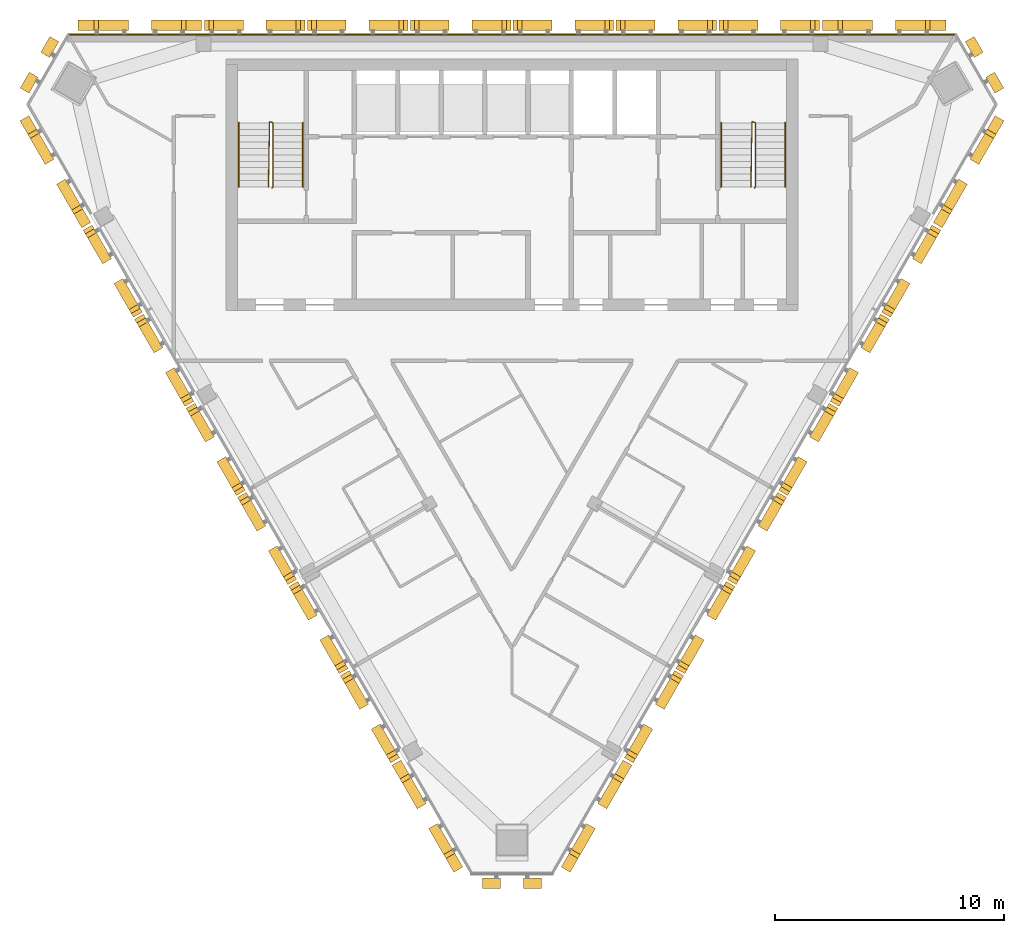
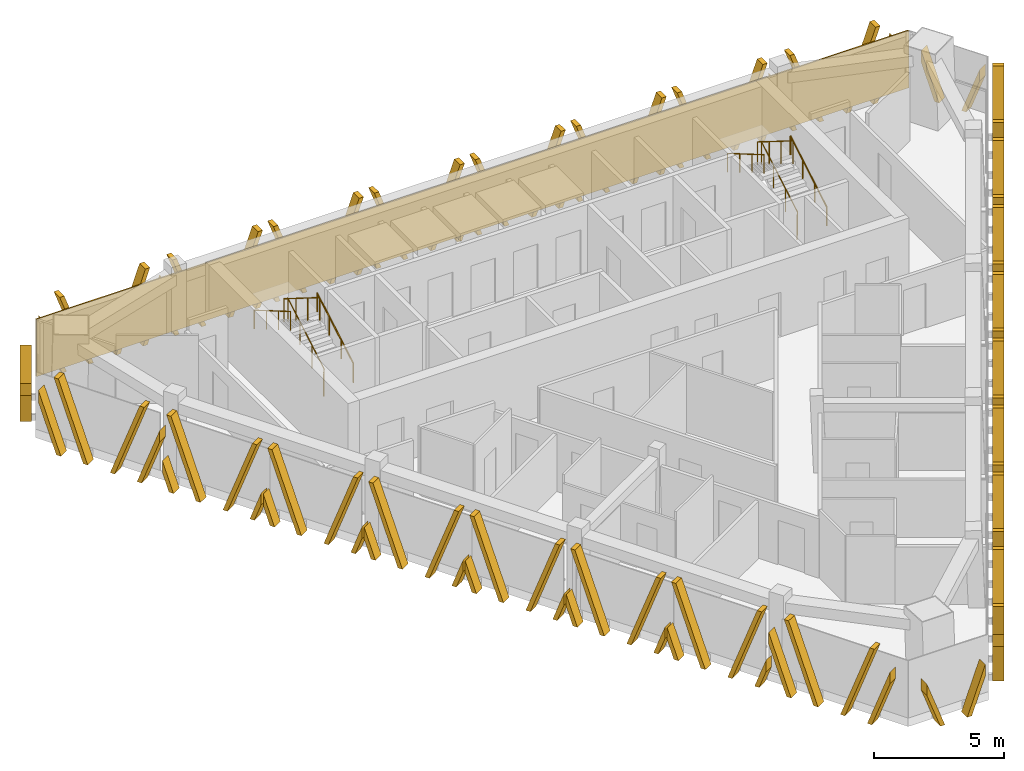
# One storey, part 10 of 11: 27 shading devices, 6 railings, 1 covering.
"""IFC4 building model written with IfcOpenShell, lengths in metres."""

from ifc_helpers import new_model, si_unit, direction, frame, frame_2d, origin, origin_2d, place, context, subcontext, project, spatial, polyline, rectangle, circle, outline, extrude, source, transform, mapped, material, layer, layer_set, type_object, element, save


model = new_model("IFC4")

# Units and contexts
model_context = context("Model", 3, precision=1e-05, world=origin(), true_north=direction((0.0, 1.0)))
body_context = subcontext(model_context, "Body", "Model", "MODEL_VIEW")
ifc_project = project(units=[si_unit("LENGTHUNIT", "METRE"), si_unit("AREAUNIT", "SQUARE_METRE"), si_unit("VOLUMEUNIT", "CUBIC_METRE"), si_unit("PLANEANGLEUNIT", "RADIAN"), si_unit("MASSUNIT", "GRAM", prefix="KILO")], contexts=[model_context])

# Site, building, storey
site_placement = place(None, origin())
site = spatial("IfcSite", under=ifc_project, at=site_placement, CompositionType="ELEMENT")
building_placement = place(site_placement, origin())
building = spatial("IfcBuilding", under=site, at=building_placement, Name="Altiplano Prism Tower", CompositionType="ELEMENT")
storey_placement = place(building_placement, frame((0.0, 0.0, 327.39990234375)))
storey = spatial("IfcBuildingStorey", under=building, at=storey_placement, Name="L85", CompositionType="ELEMENT", Elevation=327.39990234375)

# Railings
ifc_material_1 = material(Name="Steel S355", Category="steel")
railing_type_1 = type_object("IfcRailingType", Name="Stair guard 1100", PredefinedType="GUARDRAIL", material=ifc_material_1)
railing_1_placement = place(storey_placement, frame((74.5, 98.25, 0.0)))
element("IfcRailing", 1, at=railing_1_placement, inside=storey, type_object=railing_type_1, Name="L85 ST1 stair guard 1", PredefinedType="GUARDRAIL", context=body_context, shape_type="SweptSolid", body=[
    extrude(circle(Radius=0.02392578125, at=origin_2d()), frame((0.0, 0.0, 1.076171875), z_axis=(0.280456126637, 0.280456126637, 0.917980785237), x_axis=(-0.707106781187, 0.707106781187, 0.0)), (0.0, 0.0, 1.0), 0.178466796875),
    extrude(circle(Radius=0.02392578125, at=origin_2d()), frame((0.050048828125, 0.050048828125, 1.23974609375), z_axis=(0.0, 0.863393664356, 0.504530851732), x_axis=(-1.0, 0.0, 0.0)), (0.0, 0.0, 1.0), 3.2431640625),
    extrude(circle(Radius=0.02392578125, at=origin_2d()), frame((0.050048828125, 2.85009765625, 2.8759765625), z_axis=(-0.949145278916, 0.314838433982, 0.0), x_axis=(-0.314838433982, -0.949145278916, 0.0)), (0.0, 0.0, 1.0), 0.158203125),
    extrude(circle(Radius=0.02392578125, at=origin_2d()), frame((-0.10009765625, 2.89990234375, 2.8759765625), z_axis=(-0.01477401265, -0.845377694409, 0.533964682676), x_axis=(0.999847325713, -0.01747355902, 0.0)), (0.0, 0.0, 1.0), 3.37109375),
    extrude(circle(Radius=0.02099609375, at=origin_2d()), origin(), (0.0, 0.0, 1.0), 1.052001953125),
    extrude(circle(Radius=0.02099609375, at=origin_2d()), frame((0.050048828125, 0.050048828125, 0.163818359375)), (0.0, 0.0, 1.0), 1.052001953125),
    extrude(circle(Radius=0.02099609375, at=origin_2d()), frame((0.050048828125, 0.9833984375, 0.709228515625)), (0.0, 0.0, 1.0), 1.052001953125),
    extrude(circle(Radius=0.02099609375, at=origin_2d()), frame((0.050048828125, 1.916748046875, 1.254638671875)), (0.0, 0.0, 1.0), 1.052001953125),
    extrude(circle(Radius=0.02099609375, at=origin_2d()), frame((0.050048828125, 2.85009765625, 1.800048828125)), (0.0, 0.0, 1.0), 1.052001953125),
    extrude(circle(Radius=0.02099609375, at=origin_2d()), frame((-0.10009765625, 2.89990234375, 1.800048828125)), (0.0, 0.0, 1.0), 1.052001953125),
    extrude(circle(Radius=0.02099609375, at=origin_2d()), frame((-0.11669921875, 1.949951171875, 2.400146484375)), (0.0, 0.0, 1.0), 1.052001953125),
    extrude(circle(Radius=0.02099609375, at=origin_2d()), frame((-0.13330078125, 1.0, 3.0)), (0.0, 0.0, 1.0), 1.052001953125),
    extrude(circle(Radius=0.02099609375, at=origin_2d()), frame((-0.14990234375, 0.050048828125, 3.60009765625)), (0.0, 0.0, 1.0), 1.052001953125),
])
railing_2_placement = place(storey_placement, frame((95.60009765625, 98.25, 0.0)))
element("IfcRailing", 2, at=railing_2_placement, inside=storey, type_object=railing_type_1, Name="L85 ST2 stair guard 1", PredefinedType="GUARDRAIL", context=body_context, shape_type="SweptSolid", body=[
    extrude(circle(Radius=0.02392578125, at=origin_2d()), frame((0.0, 0.0, 1.076171875), z_axis=(0.279194930351, 0.280563532951, 0.91833234444), x_axis=(-0.708833529934, 0.705375805398, 0.0)), (0.0, 0.0, 1.0), 0.178466796875),
    extrude(circle(Radius=0.02392578125, at=origin_2d()), frame((0.0498046875, 0.050048828125, 1.23974609375), z_axis=(0.0, 0.863393664356, 0.504530851732), x_axis=(-1.0, 0.0, 0.0)), (0.0, 0.0, 1.0), 3.2431640625),
    extrude(circle(Radius=0.02392578125, at=origin_2d()), frame((0.0498046875, 2.85009765625, 2.8759765625), z_axis=(-0.948991962702, 0.315300261223, 0.0), x_axis=(-0.315300261223, -0.948991962702, 0.0)), (0.0, 0.0, 1.0), 0.157958984375),
    extrude(circle(Radius=0.02392578125, at=origin_2d()), frame((-0.10009765625, 2.89990234375, 2.8759765625), z_axis=(-0.014846418356, -0.845376787675, 0.533964109957), x_axis=(0.999845825584, -0.017559187376, 0.0)), (0.0, 0.0, 1.0), 3.37109375),
    extrude(circle(Radius=0.02099609375, at=origin_2d()), origin(), (0.0, 0.0, 1.0), 1.052001953125),
    extrude(circle(Radius=0.02099609375, at=origin_2d()), frame((0.0498046875, 0.050048828125, 0.163818359375)), (0.0, 0.0, 1.0), 1.052001953125),
    extrude(circle(Radius=0.02099609375, at=origin_2d()), frame((0.0498046875, 0.9833984375, 0.709228515625)), (0.0, 0.0, 1.0), 1.052001953125),
    extrude(circle(Radius=0.02099609375, at=origin_2d()), frame((0.0498046875, 1.916748046875, 1.254638671875)), (0.0, 0.0, 1.0), 1.052001953125),
    extrude(circle(Radius=0.02099609375, at=origin_2d()), frame((0.0498046875, 2.85009765625, 1.800048828125)), (0.0, 0.0, 1.0), 1.052001953125),
    extrude(circle(Radius=0.02099609375, at=origin_2d()), frame((-0.10009765625, 2.89990234375, 1.800048828125)), (0.0, 0.0, 1.0), 1.052001953125),
    extrude(circle(Radius=0.02099609375, at=origin_2d()), frame((-0.11669921875, 1.949951171875, 2.400146484375)), (0.0, 0.0, 1.0), 1.052001953125),
    extrude(circle(Radius=0.02099609375, at=origin_2d()), frame((-0.133544921875, 1.0, 3.0)), (0.0, 0.0, 1.0), 1.052001953125),
    extrude(circle(Radius=0.02099609375, at=origin_2d()), frame((-0.150146484375, 0.050048828125, 3.60009765625)), (0.0, 0.0, 1.0), 1.052001953125),
])
railing_type_2 = type_object("IfcRailingType", Name="Stair handrail 900", PredefinedType="HANDRAIL", material=ifc_material_1)
railing_3_placement = place(storey_placement, frame((75.85009765625, 98.300048828125, 0.163818359375)))
element("IfcRailing", 3, at=railing_3_placement, inside=storey, type_object=railing_type_2, Name="L85 ST1 stair handrail 1", PredefinedType="HANDRAIL", context=body_context, shape_type="SweptSolid", body=[
    extrude(circle(Radius=0.02392578125, at=origin_2d()), frame((0.0, 0.0, 0.8759765625), z_axis=(0.0, 0.863393664356, 0.504530851732), x_axis=(-1.0, 0.0, 0.0)), (0.0, 0.0, 1.0), 3.2431640625),
    extrude(circle(Radius=0.02099609375, at=origin_2d()), origin(), (0.0, 0.0, 1.0), 0.851806640625),
    extrude(circle(Radius=0.02099609375, at=origin_2d()), frame((0.0, 0.933349609375, 0.54541015625)), (0.0, 0.0, 1.0), 0.851806640625),
    extrude(circle(Radius=0.02099609375, at=origin_2d()), frame((0.0, 1.86669921875, 1.0908203125)), (0.0, 0.0, 1.0), 0.851806640625),
    extrude(circle(Radius=0.02099609375, at=origin_2d()), frame((0.0, 2.800048828125, 1.63623046875)), (0.0, 0.0, 1.0), 0.851806640625),
])
railing_4_placement = place(storey_placement, frame((73.050048828125, 101.10009765625, 1.963623046875)))
element("IfcRailing", 4, at=railing_4_placement, inside=storey, type_object=railing_type_2, Name="L85 ST1 stair handrail 2", PredefinedType="HANDRAIL", context=body_context, shape_type="SweptSolid", body=[
    extrude(circle(Radius=0.02392578125, at=origin_2d()), frame((0.0, 0.0, 0.8759765625), z_axis=(0.0, -0.863360870873, 0.504586966384), x_axis=(1.0, 0.0, 0.0)), (0.0, 0.0, 1.0), 3.2431640625),
    extrude(circle(Radius=0.02099609375, at=origin_2d()), origin(), (0.0, 0.0, 1.0), 0.851806640625),
    extrude(circle(Radius=0.02099609375, at=origin_2d()), frame((0.0, -0.933349609375, 0.54541015625)), (0.0, 0.0, 1.0), 0.851806640625),
    extrude(circle(Radius=0.02099609375, at=origin_2d()), frame((0.0, -1.86669921875, 1.091064453125)), (0.0, 0.0, 1.0), 0.851806640625),
    extrude(circle(Radius=0.02099609375, at=origin_2d()), frame((0.0, -2.800048828125, 1.636474609375)), (0.0, 0.0, 1.0), 0.851806640625),
])
railing_5_placement = place(storey_placement, frame((96.949951171875, 98.300048828125, 0.163818359375)))
element("IfcRailing", 5, at=railing_5_placement, inside=storey, type_object=railing_type_2, Name="L85 ST2 stair handrail 1", PredefinedType="HANDRAIL", context=body_context, shape_type="SweptSolid", body=[
    extrude(circle(Radius=0.02392578125, at=origin_2d()), frame((0.0, 0.0, 0.8759765625), z_axis=(0.0, 0.863393664356, 0.504530851732), x_axis=(-1.0, 0.0, 0.0)), (0.0, 0.0, 1.0), 3.2431640625),
    extrude(circle(Radius=0.02099609375, at=origin_2d()), origin(), (0.0, 0.0, 1.0), 0.851806640625),
    extrude(circle(Radius=0.02099609375, at=origin_2d()), frame((0.0, 0.933349609375, 0.54541015625)), (0.0, 0.0, 1.0), 0.851806640625),
    extrude(circle(Radius=0.02099609375, at=origin_2d()), frame((0.0, 1.86669921875, 1.0908203125)), (0.0, 0.0, 1.0), 0.851806640625),
    extrude(circle(Radius=0.02099609375, at=origin_2d()), frame((0.0, 2.800048828125, 1.63623046875)), (0.0, 0.0, 1.0), 0.851806640625),
])
railing_6_placement = place(storey_placement, frame((94.14990234375, 101.10009765625, 1.963623046875)))
element("IfcRailing", 6, at=railing_6_placement, inside=storey, type_object=railing_type_2, Name="L85 ST2 stair handrail 2", PredefinedType="HANDRAIL", context=body_context, shape_type="SweptSolid", body=[
    extrude(circle(Radius=0.02392578125, at=origin_2d()), frame((0.0, 0.0, 0.8759765625), z_axis=(0.0, -0.863360870873, 0.504586966384), x_axis=(1.0, 0.0, 0.0)), (0.0, 0.0, 1.0), 3.2431640625),
    extrude(circle(Radius=0.02099609375, at=origin_2d()), origin(), (0.0, 0.0, 1.0), 0.851806640625),
    extrude(circle(Radius=0.02099609375, at=origin_2d()), frame((0.0, -0.933349609375, 0.54541015625)), (0.0, 0.0, 1.0), 0.851806640625),
    extrude(circle(Radius=0.02099609375, at=origin_2d()), frame((0.0, -1.86669921875, 1.091064453125)), (0.0, 0.0, 1.0), 0.851806640625),
    extrude(circle(Radius=0.02099609375, at=origin_2d()), frame((0.0, -2.800048828125, 1.636474609375)), (0.0, 0.0, 1.0), 0.851806640625),
])

# Covering
ifc_material_2 = material(Name="Warm limestone cast stone", Category="masonry")
ifc_layer = layer(ifc_material_2, 0.06005859375)
ifc_layer_set = layer_set([ifc_layer], Name="Warm limestone cast stone")
covering_type = type_object("IfcCoveringType", Name="Stone cladding 60", PredefinedType="CLADDING", material=ifc_layer_set)
covering_placement = place(storey_placement, frame((65.5537109375, 104.969970703125, 0.0), z_axis=(0.0, 0.0, 1.0), x_axis=(1.0, 0.0, 0.0)))
element("IfcCovering", 7, at=covering_placement, inside=storey, type_object=covering_type, Name="Stone cladding north face L85", PredefinedType="CLADDING", context=body_context, shape_type="SweptSolid", body=[
    extrude(rectangle(XDim=38.892578125, YDim=0.06005859375, at=frame_2d((19.4462890625, 0.0))), origin(), (0.0, 0.0, 1.0), 2.7001953125),
])

# Shading devices
shading_device_type_1 = type_object("IfcShadingDeviceType", Name="Stone fin panel, standard unit", PredefinedType="USERDEFINED", material=ifc_material_2)
shared_shape_1 = source(origin(), body_context, "Body", "SweptSolid", [
    extrude(outline(polyline([(-2.199951171875, 1.373779296875), (-2.199951171875, 0.82421875), (-1.89990234375, 0.0), (-1.699951171875, 0.0), (-2.199951171875, 1.373779296875)])), frame((0.0, -0.14990234375, 0.0), z_axis=(0.0, -1.0, 0.0), x_axis=(1.0, 0.0, 0.0)), (0.0, 0.0, 1.0), 0.4501953125),
    extrude(outline(polyline([(-2.01025390625, 3.60009765625), (-0.699951171875, 0.0), (-0.5, 0.0), (-1.810302734375, 3.60009765625), (-2.01025390625, 3.60009765625)])), frame((0.0, -0.14990234375, 0.0), z_axis=(0.0, -1.0, 0.0), x_axis=(1.0, 0.0, 0.0)), (0.0, 0.0, 1.0), 0.4501953125),
    extrude(outline(polyline([(1.810302734375, 3.60009765625), (0.5, 0.0), (0.699951171875, 0.0), (2.01025390625, 3.60009765625), (1.810302734375, 3.60009765625)])), frame((0.0, -0.14990234375, 0.0), z_axis=(0.0, -1.0, 0.0), x_axis=(1.0, 0.0, 0.0)), (0.0, 0.0, 1.0), 0.4501953125),
    extrude(outline(polyline([(2.199951171875, 0.82421875), (2.199951171875, 1.373779296875), (1.699951171875, 0.0), (1.89990234375, 0.0), (2.199951171875, 0.82421875)])), frame((0.0, -0.14990234375, 0.0), z_axis=(0.0, -1.0, 0.0), x_axis=(1.0, 0.0, 0.0)), (0.0, 0.0, 1.0), 0.4501953125),
])
shading_device_1_placement = place(storey_placement, origin())
element("IfcShadingDevice", 8, at=shading_device_1_placement, inside=storey, type_object=shading_device_type_1, Name="Fin L85 north face 2", ObjectType="FIN", PredefinedType="USERDEFINED", context=body_context, shape_type="MappedRepresentation", body=[
    mapped(shared_shape_1, transform((96.25, 105.0, -0.39990234375), x_axis=(-1.0, 0.0, 0.0), y_axis=(0.0, -1.0, 0.0), z_axis=(0.0, 0.0, 1.0))),
])
shading_device_2_placement = place(storey_placement, origin())
element("IfcShadingDevice", 9, at=shading_device_2_placement, inside=storey, type_object=shading_device_type_1, Name="Fin L85 north face 3", ObjectType="FIN", PredefinedType="USERDEFINED", context=body_context, shape_type="MappedRepresentation", body=[
    mapped(shared_shape_1, transform((91.75, 105.0, -0.39990234375), x_axis=(-1.0, 0.0, 0.0), y_axis=(0.0, -1.0, 0.0), z_axis=(0.0, 0.0, 1.0))),
])
shading_device_3_placement = place(storey_placement, origin())
element("IfcShadingDevice", 10, at=shading_device_3_placement, inside=storey, type_object=shading_device_type_1, Name="Fin L85 north face 4", ObjectType="FIN", PredefinedType="USERDEFINED", context=body_context, shape_type="MappedRepresentation", body=[
    mapped(shared_shape_1, transform((87.25, 105.0, -0.39990234375), x_axis=(-1.0, 0.0, 0.0), y_axis=(0.0, -1.0, 0.0), z_axis=(0.0, 0.0, 1.0))),
])
shading_device_4_placement = place(storey_placement, origin())
element("IfcShadingDevice", 11, at=shading_device_4_placement, inside=storey, type_object=shading_device_type_1, Name="Fin L85 north face 5", ObjectType="FIN", PredefinedType="USERDEFINED", context=body_context, shape_type="MappedRepresentation", body=[
    mapped(shared_shape_1, transform((82.75, 105.0, -0.39990234375), x_axis=(-1.0, 0.0, 0.0), y_axis=(0.0, -1.0, 0.0), z_axis=(0.0, 0.0, 1.0))),
])
shading_device_5_placement = place(storey_placement, origin())
element("IfcShadingDevice", 12, at=shading_device_5_placement, inside=storey, type_object=shading_device_type_1, Name="Fin L85 north face 6", ObjectType="FIN", PredefinedType="USERDEFINED", context=body_context, shape_type="MappedRepresentation", body=[
    mapped(shared_shape_1, transform((78.25, 105.0, -0.39990234375), x_axis=(-1.0, 0.0, 0.0), y_axis=(0.0, -1.0, 0.0), z_axis=(0.0, 0.0, 1.0))),
])
shading_device_6_placement = place(storey_placement, origin())
element("IfcShadingDevice", 13, at=shading_device_6_placement, inside=storey, type_object=shading_device_type_1, Name="Fin L85 north face 7", ObjectType="FIN", PredefinedType="USERDEFINED", context=body_context, shape_type="MappedRepresentation", body=[
    mapped(shared_shape_1, transform((73.75, 105.0, -0.39990234375), x_axis=(-1.0, 0.0, 0.0), y_axis=(0.0, -1.0, 0.0), z_axis=(0.0, 0.0, 1.0))),
])
shading_device_7_placement = place(storey_placement, origin())
element("IfcShadingDevice", 14, at=shading_device_7_placement, inside=storey, type_object=shading_device_type_1, Name="Fin L85 south-west face 2", ObjectType="FIN", PredefinedType="USERDEFINED", context=body_context, shape_type="MappedRepresentation", body=[
    mapped(shared_shape_1, transform((67.863037109375, 94.8037109375, -0.39990234375), x_axis=(0.499999992925, -0.866025407869, 0.0), y_axis=(0.866025407869, 0.499999992925, 0.0), z_axis=(0.0, 0.0, 1.0))),
])
shading_device_8_placement = place(storey_placement, origin())
element("IfcShadingDevice", 15, at=shading_device_8_placement, inside=storey, type_object=shading_device_type_1, Name="Fin L85 south-west face 3", ObjectType="FIN", PredefinedType="USERDEFINED", context=body_context, shape_type="MappedRepresentation", body=[
    mapped(shared_shape_1, transform((70.113037109375, 90.906494140625, -0.39990234375), x_axis=(0.499999992925, -0.866025407869, 0.0), y_axis=(0.866025407869, 0.499999992925, 0.0), z_axis=(0.0, 0.0, 1.0))),
])
shading_device_9_placement = place(storey_placement, origin())
element("IfcShadingDevice", 16, at=shading_device_9_placement, inside=storey, type_object=shading_device_type_1, Name="Fin L85 south-west face 4", ObjectType="FIN", PredefinedType="USERDEFINED", context=body_context, shape_type="MappedRepresentation", body=[
    mapped(shared_shape_1, transform((72.363037109375, 87.009521484375, -0.39990234375), x_axis=(0.499999992925, -0.866025407869, 0.0), y_axis=(0.866025407869, 0.499999992925, 0.0), z_axis=(0.0, 0.0, 1.0))),
])
shading_device_10_placement = place(storey_placement, origin())
element("IfcShadingDevice", 17, at=shading_device_10_placement, inside=storey, type_object=shading_device_type_1, Name="Fin L85 south-west face 5", ObjectType="FIN", PredefinedType="USERDEFINED", context=body_context, shape_type="MappedRepresentation", body=[
    mapped(shared_shape_1, transform((74.613037109375, 83.1123046875, -0.39990234375), x_axis=(0.499999992925, -0.866025407869, 0.0), y_axis=(0.866025407869, 0.499999992925, 0.0), z_axis=(0.0, 0.0, 1.0))),
])
shading_device_11_placement = place(storey_placement, origin())
element("IfcShadingDevice", 18, at=shading_device_11_placement, inside=storey, type_object=shading_device_type_1, Name="Fin L85 south-west face 6", ObjectType="FIN", PredefinedType="USERDEFINED", context=body_context, shape_type="MappedRepresentation", body=[
    mapped(shared_shape_1, transform((76.863037109375, 79.21533203125, -0.39990234375), x_axis=(0.499999992925, -0.866025407869, 0.0), y_axis=(0.866025407869, 0.499999992925, 0.0), z_axis=(0.0, 0.0, 1.0))),
])
shading_device_12_placement = place(storey_placement, origin())
element("IfcShadingDevice", 19, at=shading_device_12_placement, inside=storey, type_object=shading_device_type_1, Name="Fin L85 south-west face 7", ObjectType="FIN", PredefinedType="USERDEFINED", context=body_context, shape_type="MappedRepresentation", body=[
    mapped(shared_shape_1, transform((79.113037109375, 75.318115234375, -0.39990234375), x_axis=(0.499999992925, -0.866025407869, 0.0), y_axis=(0.866025407869, 0.499999992925, 0.0), z_axis=(0.0, 0.0, 1.0))),
])
shading_device_13_placement = place(storey_placement, origin())
element("IfcShadingDevice", 20, at=shading_device_13_placement, inside=storey, type_object=shading_device_type_1, Name="Fin L85 south-east face 2", ObjectType="FIN", PredefinedType="USERDEFINED", context=body_context, shape_type="MappedRepresentation", body=[
    mapped(shared_shape_1, transform((90.886962890625, 75.318115234375, -0.39990234375), x_axis=(0.499999992925, 0.866025407869, 0.0), y_axis=(-0.866025407869, 0.499999992925, 0.0), z_axis=(0.0, 0.0, 1.0))),
])
shading_device_14_placement = place(storey_placement, origin())
element("IfcShadingDevice", 21, at=shading_device_14_placement, inside=storey, type_object=shading_device_type_1, Name="Fin L85 south-east face 3", ObjectType="FIN", PredefinedType="USERDEFINED", context=body_context, shape_type="MappedRepresentation", body=[
    mapped(shared_shape_1, transform((93.136962890625, 79.21533203125, -0.39990234375), x_axis=(0.499999992925, 0.866025407869, 0.0), y_axis=(-0.866025407869, 0.499999992925, 0.0), z_axis=(0.0, 0.0, 1.0))),
])
shading_device_15_placement = place(storey_placement, origin())
element("IfcShadingDevice", 22, at=shading_device_15_placement, inside=storey, type_object=shading_device_type_1, Name="Fin L85 south-east face 4", ObjectType="FIN", PredefinedType="USERDEFINED", context=body_context, shape_type="MappedRepresentation", body=[
    mapped(shared_shape_1, transform((95.386962890625, 83.1123046875, -0.39990234375), x_axis=(0.499999992925, 0.866025407869, 0.0), y_axis=(-0.866025407869, 0.499999992925, 0.0), z_axis=(0.0, 0.0, 1.0))),
])
shading_device_16_placement = place(storey_placement, origin())
element("IfcShadingDevice", 23, at=shading_device_16_placement, inside=storey, type_object=shading_device_type_1, Name="Fin L85 south-east face 5", ObjectType="FIN", PredefinedType="USERDEFINED", context=body_context, shape_type="MappedRepresentation", body=[
    mapped(shared_shape_1, transform((97.636962890625, 87.009521484375, -0.39990234375), x_axis=(0.499999992925, 0.866025407869, 0.0), y_axis=(-0.866025407869, 0.499999992925, 0.0), z_axis=(0.0, 0.0, 1.0))),
])
shading_device_17_placement = place(storey_placement, origin())
element("IfcShadingDevice", 24, at=shading_device_17_placement, inside=storey, type_object=shading_device_type_1, Name="Fin L85 south-east face 6", ObjectType="FIN", PredefinedType="USERDEFINED", context=body_context, shape_type="MappedRepresentation", body=[
    mapped(shared_shape_1, transform((99.886962890625, 90.906494140625, -0.39990234375), x_axis=(0.499999992925, 0.866025407869, 0.0), y_axis=(-0.866025407869, 0.499999992925, 0.0), z_axis=(0.0, 0.0, 1.0))),
])
shading_device_18_placement = place(storey_placement, origin())
element("IfcShadingDevice", 25, at=shading_device_18_placement, inside=storey, type_object=shading_device_type_1, Name="Fin L85 south-east face 7", ObjectType="FIN", PredefinedType="USERDEFINED", context=body_context, shape_type="MappedRepresentation", body=[
    mapped(shared_shape_1, transform((102.136962890625, 94.8037109375, -0.39990234375), x_axis=(0.499999992925, 0.866025407869, 0.0), y_axis=(-0.866025407869, 0.499999992925, 0.0), z_axis=(0.0, 0.0, 1.0))),
])
shading_device_type_2 = type_object("IfcShadingDeviceType", Name="Stone fin panel, wide closing bay", PredefinedType="USERDEFINED", material=ifc_material_2)
shared_shape_2 = source(origin(), body_context, "Body", "SweptSolid", [
    extrude(outline(polyline([(-2.699951171875, 2.74755859375), (-2.699951171875, 2.197998046875), (-1.89990234375, 0.0), (-1.699951171875, 0.0), (-2.699951171875, 2.74755859375)])), frame((0.0, -0.14990234375, 0.0), z_axis=(0.0, -1.0, 0.0), x_axis=(1.0, 0.0, 0.0)), (0.0, 0.0, 1.0), 0.4501953125),
    extrude(outline(polyline([(-2.01025390625, 3.60009765625), (-0.699951171875, 0.0), (-0.5, 0.0), (-1.810302734375, 3.60009765625), (-2.01025390625, 3.60009765625)])), frame((0.0, -0.14990234375, 0.0), z_axis=(0.0, -1.0, 0.0), x_axis=(1.0, 0.0, 0.0)), (0.0, 0.0, 1.0), 0.4501953125),
    extrude(outline(polyline([(1.810302734375, 3.60009765625), (0.5, 0.0), (0.699951171875, 0.0), (2.01025390625, 3.60009765625), (1.810302734375, 3.60009765625)])), frame((0.0, -0.14990234375, 0.0), z_axis=(0.0, -1.0, 0.0), x_axis=(1.0, 0.0, 0.0)), (0.0, 0.0, 1.0), 0.4501953125),
    extrude(outline(polyline([(2.699951171875, 2.197998046875), (2.699951171875, 2.74755859375), (1.699951171875, 0.0), (1.89990234375, 0.0), (2.699951171875, 2.197998046875)])), frame((0.0, -0.14990234375, 0.0), z_axis=(0.0, -1.0, 0.0), x_axis=(1.0, 0.0, 0.0)), (0.0, 0.0, 1.0), 0.4501953125),
])
shading_device_19_placement = place(storey_placement, origin())
element("IfcShadingDevice", 26, at=shading_device_19_placement, inside=storey, type_object=shading_device_type_2, Name="Fin L85 north face 1", ObjectType="FIN", PredefinedType="USERDEFINED", context=body_context, shape_type="MappedRepresentation", body=[
    mapped(shared_shape_2, transform((101.273193359375, 105.0, -0.39990234375), x_axis=(-1.0, 0.0, 0.0), y_axis=(0.0, -1.0, 0.0), z_axis=(0.0, 0.0, 1.0))),
])
shading_device_20_placement = place(storey_placement, origin())
element("IfcShadingDevice", 27, at=shading_device_20_placement, inside=storey, type_object=shading_device_type_2, Name="Fin L85 north face 8", ObjectType="FIN", PredefinedType="USERDEFINED", context=body_context, shape_type="MappedRepresentation", body=[
    mapped(shared_shape_2, transform((68.726806640625, 105.0, -0.39990234375), x_axis=(-1.0, 0.0, 0.0), y_axis=(0.0, -1.0, 0.0), z_axis=(0.0, 0.0, 1.0))),
])
shading_device_21_placement = place(storey_placement, origin())
element("IfcShadingDevice", 28, at=shading_device_21_placement, inside=storey, type_object=shading_device_type_2, Name="Fin L85 south-west face 1", ObjectType="FIN", PredefinedType="USERDEFINED", context=body_context, shape_type="MappedRepresentation", body=[
    mapped(shared_shape_2, transform((65.3515625, 99.15380859375, -0.39990234375), x_axis=(0.499999992925, -0.866025407869, 0.0), y_axis=(0.866025407869, 0.499999992925, 0.0), z_axis=(0.0, 0.0, 1.0))),
])
shading_device_22_placement = place(storey_placement, origin())
element("IfcShadingDevice", 29, at=shading_device_22_placement, inside=storey, type_object=shading_device_type_2, Name="Fin L85 south-west face 8", ObjectType="FIN", PredefinedType="USERDEFINED", context=body_context, shape_type="MappedRepresentation", body=[
    mapped(shared_shape_2, transform((81.624755859375, 70.9677734375, -0.39990234375), x_axis=(0.499999992925, -0.866025407869, 0.0), y_axis=(0.866025407869, 0.499999992925, 0.0), z_axis=(0.0, 0.0, 1.0))),
])
shading_device_23_placement = place(storey_placement, origin())
element("IfcShadingDevice", 30, at=shading_device_23_placement, inside=storey, type_object=shading_device_type_2, Name="Fin L85 south-east face 1", ObjectType="FIN", PredefinedType="USERDEFINED", context=body_context, shape_type="MappedRepresentation", body=[
    mapped(shared_shape_2, transform((88.375244140625, 70.9677734375, -0.39990234375), x_axis=(0.499999992925, 0.866025407869, 0.0), y_axis=(-0.866025407869, 0.499999992925, 0.0), z_axis=(0.0, 0.0, 1.0))),
])
shading_device_24_placement = place(storey_placement, origin())
element("IfcShadingDevice", 31, at=shading_device_24_placement, inside=storey, type_object=shading_device_type_2, Name="Fin L85 south-east face 8", ObjectType="FIN", PredefinedType="USERDEFINED", context=body_context, shape_type="MappedRepresentation", body=[
    mapped(shared_shape_2, transform((104.6484375, 99.15380859375, -0.39990234375), x_axis=(0.499999992925, 0.866025407869, 0.0), y_axis=(-0.866025407869, 0.499999992925, 0.0), z_axis=(0.0, 0.0, 1.0))),
])
shading_device_type_3 = type_object("IfcShadingDeviceType", Name="Stone fin panel, chamfer unit", PredefinedType="USERDEFINED", material=ifc_material_2)
shared_shape_3 = source(origin(), body_context, "Body", "SweptSolid", [
    extrude(outline(polyline([(-1.300048828125, 2.197998046875), (-1.300048828125, 1.6484375), (-0.699951171875, 0.0), (-0.5, 0.0), (-1.300048828125, 2.197998046875)])), frame((0.0, -0.14990234375, 0.0), z_axis=(0.0, -1.0, 0.0), x_axis=(1.0, 0.0, 0.0)), (0.0, 0.0, 1.0), 0.4501953125),
    extrude(outline(polyline([(1.300048828125, 1.6484375), (1.300048828125, 2.197998046875), (0.5, 0.0), (0.699951171875, 0.0), (1.300048828125, 1.6484375)])), frame((0.0, -0.14990234375, 0.0), z_axis=(0.0, -1.0, 0.0), x_axis=(1.0, 0.0, 0.0)), (0.0, 0.0, 1.0), 0.4501953125),
])
shading_device_25_placement = place(storey_placement, origin())
element("IfcShadingDevice", 32, at=shading_device_25_placement, inside=storey, type_object=shading_device_type_3, Name="Fin L85 north-west chamfer 1", ObjectType="FIN", PredefinedType="USERDEFINED", context=body_context, shape_type="MappedRepresentation", body=[
    mapped(shared_shape_3, transform((64.6591796875, 103.450927734375, -0.39990234375), x_axis=(-0.499999987126, -0.866025411217, 0.0), y_axis=(0.866025411217, -0.499999987126, 0.0), z_axis=(0.0, 0.0, 1.0))),
])
shading_device_26_placement = place(storey_placement, origin())
element("IfcShadingDevice", 33, at=shading_device_26_placement, inside=storey, type_object=shading_device_type_3, Name="Fin L85 south chamfer 1", ObjectType="FIN", PredefinedType="USERDEFINED", context=body_context, shape_type="MappedRepresentation", body=[
    mapped(shared_shape_3, transform((85.0, 68.2197265625, -0.39990234375), x_axis=(1.0, 0.0, 0.0), y_axis=(0.0, 1.0, 0.0), z_axis=(0.0, 0.0, 1.0))),
])
shading_device_27_placement = place(storey_placement, origin())
element("IfcShadingDevice", 34, at=shading_device_27_placement, inside=storey, type_object=shading_device_type_3, Name="Fin L85 north-east chamfer 1", ObjectType="FIN", PredefinedType="USERDEFINED", context=body_context, shape_type="MappedRepresentation", body=[
    mapped(shared_shape_3, transform((105.3408203125, 103.450927734375, -0.39990234375), x_axis=(-0.499999987126, 0.866025411217, 0.0), y_axis=(-0.866025411217, -0.499999987126, 0.0), z_axis=(0.0, 0.0, 1.0))),
])

save(model, "model.ifc")
